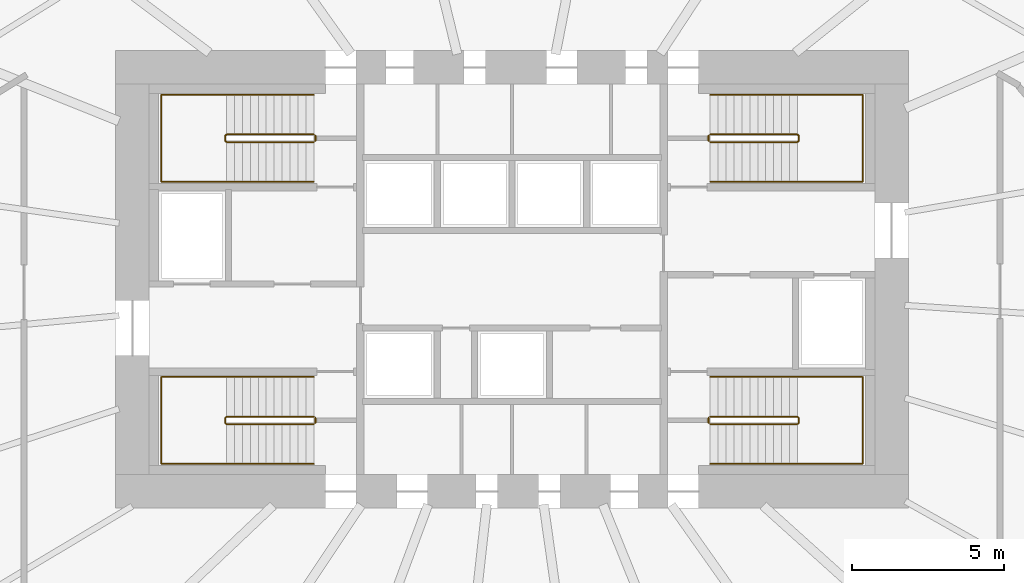
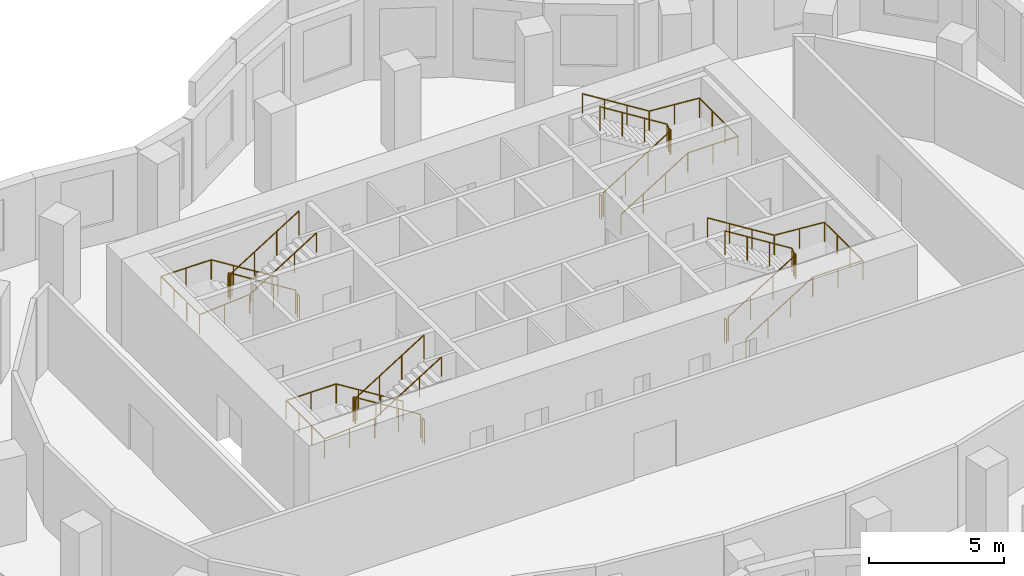
# One storey, part 8 of 8: 12 railings.
"""IFC4 building model written with IfcOpenShell, lengths in metres."""

from ifc_helpers import new_model, si_unit, direction, frame, origin, origin_2d, place, context, subcontext, project, spatial, circle, extrude, material, type_object, element, save


model = new_model("IFC4")

# Units and contexts
model_context = context("Model", 3, precision=1e-05, world=origin(), true_north=direction((0.0, 1.0)))
body_context = subcontext(model_context, "Body", "Model", "MODEL_VIEW")
ifc_project = project(units=[si_unit("LENGTHUNIT", "METRE"), si_unit("AREAUNIT", "SQUARE_METRE"), si_unit("VOLUMEUNIT", "CUBIC_METRE"), si_unit("PLANEANGLEUNIT", "RADIAN"), si_unit("MASSUNIT", "GRAM", prefix="KILO")], contexts=[model_context])

# Site, building, storey
site_placement = place(None, origin())
site = spatial("IfcSite", under=ifc_project, at=site_placement, CompositionType="ELEMENT")
building_placement = place(site_placement, origin())
building = spatial("IfcBuilding", under=site, at=building_placement, Name="Rubra Terraces Tower", CompositionType="ELEMENT")
storey_placement = place(building_placement, frame((0.0, 0.0, 150.0)))
storey = spatial("IfcBuildingStorey", under=building, at=storey_placement, Name="L36", CompositionType="ELEMENT", Elevation=150.0)

# Railings
ifc_material = material(Name="Stainless steel", Category="steel")
railing_type_1 = type_object("IfcRailingType", Name="Core stair guard 1100", PredefinedType="GUARDRAIL", material=ifc_material)
railing_1_placement = place(storey_placement, frame((-6.5, 0.0, 0.16259765625)))
element("IfcRailing", 1, at=railing_1_placement, inside=storey, type_object=railing_type_1, Name="L36 stair S1 guard 1", PredefinedType="GUARDRAIL", context=body_context, shape_type="SweptSolid", body=[
    extrude(circle(Radius=0.02392578125, at=origin_2d()), frame((0.0, 0.0, 1.076171875), z_axis=(-0.848026770018, 0.0, 0.529953391661), x_axis=(0.0, -1.0, 0.0)), (0.0, 0.0, 1.0), 3.37255859375),
    extrude(circle(Radius=0.02392578125, at=origin_2d()), frame((-2.860107421875, 0.0, 2.86328125), z_axis=(-0.705375805398, -0.708833529934, 0.0), x_axis=(0.708833529934, -0.705375805398, 0.0)), (0.0, 0.0, 1.0), 0.070556640625),
    extrude(circle(Radius=0.02392578125, at=origin_2d()), frame((-2.909912109375, -0.050048828125, 2.86328125), z_axis=(0.0, -1.0, 0.0), x_axis=(1.0, 0.0, 0.0)), (0.0, 0.0, 1.0), 0.14990234375),
    extrude(circle(Radius=0.02392578125, at=origin_2d()), frame((-2.909912109375, -0.199951171875, 2.86328125), z_axis=(0.280959487676, -0.282336740067, 0.917250092119), x_axis=(0.708833529934, 0.705375805398, 0.0)), (0.0, 0.0, 1.0), 0.17724609375),
    extrude(circle(Radius=0.02392578125, at=origin_2d()), frame((-2.860107421875, -0.25, 3.02587890625), z_axis=(0.848026770018, 0.0, 0.529953391661), x_axis=(0.0, 1.0, 0.0)), (0.0, 0.0, 1.0), 3.37255859375),
    extrude(circle(Radius=0.02099609375, at=origin_2d()), origin(), (0.0, 0.0, 1.0), 1.052001953125),
    extrude(circle(Radius=0.02099609375, at=origin_2d()), frame((-0.953369140625, 0.0, 0.595703125)), (0.0, 0.0, 1.0), 1.052001953125),
    extrude(circle(Radius=0.02099609375, at=origin_2d()), frame((-1.90673828125, 0.0, 1.191650390625)), (0.0, 0.0, 1.0), 1.052001953125),
    extrude(circle(Radius=0.02099609375, at=origin_2d()), frame((-2.860107421875, 0.0, 1.787353515625)), (0.0, 0.0, 1.0), 1.052001953125),
    extrude(circle(Radius=0.02099609375, at=origin_2d()), frame((-2.909912109375, -0.050048828125, 1.787353515625)), (0.0, 0.0, 1.0), 1.052001953125),
    extrude(circle(Radius=0.02099609375, at=origin_2d()), frame((-2.909912109375, -0.199951171875, 1.787353515625)), (0.0, 0.0, 1.0), 1.052001953125),
    extrude(circle(Radius=0.02099609375, at=origin_2d()), frame((-2.860107421875, -0.25, 1.949951171875)), (0.0, 0.0, 1.0), 1.052001953125),
    extrude(circle(Radius=0.02099609375, at=origin_2d()), frame((-1.90673828125, -0.25, 2.545654296875)), (0.0, 0.0, 1.0), 1.052001953125),
    extrude(circle(Radius=0.02099609375, at=origin_2d()), frame((-0.953369140625, -0.25, 3.1416015625)), (0.0, 0.0, 1.0), 1.052001953125),
    extrude(circle(Radius=0.02099609375, at=origin_2d()), frame((0.0, -0.25, 3.7373046875)), (0.0, 0.0, 1.0), 1.052001953125),
])
railing_2_placement = place(storey_placement, frame((-6.449951171875, -0.050048828125, 0.0)))
element("IfcRailing", 2, at=railing_2_placement, inside=storey, type_object=railing_type_1, Name="L36 stair S1 guard 2", PredefinedType="GUARDRAIL", context=body_context, shape_type="SweptSolid", body=[
    extrude(circle(Radius=0.02392578125, at=origin_2d()), frame((0.0, 0.0, 1.076171875), z_axis=(0.0, -1.0, 0.0), x_axis=(1.0, 0.0, 0.0)), (0.0, 0.0, 1.0), 0.14990234375),
    extrude(circle(Radius=0.02099609375, at=origin_2d()), origin(), (0.0, 0.0, 1.0), 1.052001953125),
    extrude(circle(Radius=0.02099609375, at=origin_2d()), frame((0.0, -0.14990234375, 0.0)), (0.0, 0.0, 1.0), 1.052001953125),
])
railing_3_placement = place(storey_placement, frame((-6.5, 9.25, 0.16259765625)))
element("IfcRailing", 3, at=railing_3_placement, inside=storey, type_object=railing_type_1, Name="L36 stair S2 guard 1", PredefinedType="GUARDRAIL", context=body_context, shape_type="SweptSolid", body=[
    extrude(circle(Radius=0.02392578125, at=origin_2d()), frame((0.0, 0.0, 1.076171875), z_axis=(-0.848026770018, 0.0, 0.529953391661), x_axis=(0.0, -1.0, 0.0)), (0.0, 0.0, 1.0), 3.37255859375),
    extrude(circle(Radius=0.02392578125, at=origin_2d()), frame((-2.860107421875, 0.0, 2.86328125), z_axis=(-0.705375805398, -0.708833529934, 0.0), x_axis=(0.708833529934, -0.705375805398, 0.0)), (0.0, 0.0, 1.0), 0.070556640625),
    extrude(circle(Radius=0.02392578125, at=origin_2d()), frame((-2.909912109375, -0.050048828125, 2.86328125), z_axis=(0.0, -1.0, 0.0), x_axis=(1.0, 0.0, 0.0)), (0.0, 0.0, 1.0), 0.14990234375),
    extrude(circle(Radius=0.02392578125, at=origin_2d()), frame((-2.909912109375, -0.199951171875, 2.86328125), z_axis=(0.280959487676, -0.282336740067, 0.917250092119), x_axis=(0.708833529934, 0.705375805398, 0.0)), (0.0, 0.0, 1.0), 0.17724609375),
    extrude(circle(Radius=0.02392578125, at=origin_2d()), frame((-2.860107421875, -0.25, 3.02587890625), z_axis=(0.848026770018, 0.0, 0.529953391661), x_axis=(0.0, 1.0, 0.0)), (0.0, 0.0, 1.0), 3.37255859375),
    extrude(circle(Radius=0.02099609375, at=origin_2d()), origin(), (0.0, 0.0, 1.0), 1.052001953125),
    extrude(circle(Radius=0.02099609375, at=origin_2d()), frame((-0.953369140625, 0.0, 0.595703125)), (0.0, 0.0, 1.0), 1.052001953125),
    extrude(circle(Radius=0.02099609375, at=origin_2d()), frame((-1.90673828125, 0.0, 1.191650390625)), (0.0, 0.0, 1.0), 1.052001953125),
    extrude(circle(Radius=0.02099609375, at=origin_2d()), frame((-2.860107421875, 0.0, 1.787353515625)), (0.0, 0.0, 1.0), 1.052001953125),
    extrude(circle(Radius=0.02099609375, at=origin_2d()), frame((-2.909912109375, -0.050048828125, 1.787353515625)), (0.0, 0.0, 1.0), 1.052001953125),
    extrude(circle(Radius=0.02099609375, at=origin_2d()), frame((-2.909912109375, -0.199951171875, 1.787353515625)), (0.0, 0.0, 1.0), 1.052001953125),
    extrude(circle(Radius=0.02099609375, at=origin_2d()), frame((-2.860107421875, -0.25, 1.949951171875)), (0.0, 0.0, 1.0), 1.052001953125),
    extrude(circle(Radius=0.02099609375, at=origin_2d()), frame((-1.90673828125, -0.25, 2.545654296875)), (0.0, 0.0, 1.0), 1.052001953125),
    extrude(circle(Radius=0.02099609375, at=origin_2d()), frame((-0.953369140625, -0.25, 3.1416015625)), (0.0, 0.0, 1.0), 1.052001953125),
    extrude(circle(Radius=0.02099609375, at=origin_2d()), frame((0.0, -0.25, 3.7373046875)), (0.0, 0.0, 1.0), 1.052001953125),
])
railing_4_placement = place(storey_placement, frame((-6.449951171875, 9.199951171875, 0.0)))
element("IfcRailing", 4, at=railing_4_placement, inside=storey, type_object=railing_type_1, Name="L36 stair S2 guard 2", PredefinedType="GUARDRAIL", context=body_context, shape_type="SweptSolid", body=[
    extrude(circle(Radius=0.02392578125, at=origin_2d()), frame((0.0, 0.0, 1.076171875), z_axis=(0.0, -1.0, 0.0), x_axis=(1.0, 0.0, 0.0)), (0.0, 0.0, 1.0), 0.14990234375),
    extrude(circle(Radius=0.02099609375, at=origin_2d()), origin(), (0.0, 0.0, 1.0), 1.052001953125),
    extrude(circle(Radius=0.02099609375, at=origin_2d()), frame((0.0, -0.14990234375, 0.0)), (0.0, 0.0, 1.0), 1.052001953125),
])
railing_5_placement = place(storey_placement, frame((6.5, 9.0, 0.16259765625)))
element("IfcRailing", 5, at=railing_5_placement, inside=storey, type_object=railing_type_1, Name="L36 stair S3 guard 1", PredefinedType="GUARDRAIL", context=body_context, shape_type="SweptSolid", body=[
    extrude(circle(Radius=0.02392578125, at=origin_2d()), frame((0.0, 0.0, 1.076171875), z_axis=(0.848026770018, 0.0, 0.529953391661), x_axis=(0.0, 1.0, 0.0)), (0.0, 0.0, 1.0), 3.37255859375),
    extrude(circle(Radius=0.02392578125, at=origin_2d()), frame((2.860107421875, 0.0, 2.86328125), z_axis=(0.705375805398, 0.708833529934, 0.0), x_axis=(-0.708833529934, 0.705375805398, 0.0)), (0.0, 0.0, 1.0), 0.070556640625),
    extrude(circle(Radius=0.02392578125, at=origin_2d()), frame((2.909912109375, 0.050048828125, 2.86328125), z_axis=(0.0, 1.0, 0.0), x_axis=(-1.0, 0.0, 0.0)), (0.0, 0.0, 1.0), 0.14990234375),
    extrude(circle(Radius=0.02392578125, at=origin_2d()), frame((2.909912109375, 0.199951171875, 2.86328125), z_axis=(-0.280959487676, 0.282336740067, 0.917250092119), x_axis=(-0.708833529934, -0.705375805398, 0.0)), (0.0, 0.0, 1.0), 0.17724609375),
    extrude(circle(Radius=0.02392578125, at=origin_2d()), frame((2.860107421875, 0.25, 3.02587890625), z_axis=(-0.848026770018, 0.0, 0.529953391661), x_axis=(0.0, -1.0, 0.0)), (0.0, 0.0, 1.0), 3.37255859375),
    extrude(circle(Radius=0.02099609375, at=origin_2d()), origin(), (0.0, 0.0, 1.0), 1.052001953125),
    extrude(circle(Radius=0.02099609375, at=origin_2d()), frame((0.953369140625, 0.0, 0.595703125)), (0.0, 0.0, 1.0), 1.052001953125),
    extrude(circle(Radius=0.02099609375, at=origin_2d()), frame((1.90673828125, 0.0, 1.191650390625)), (0.0, 0.0, 1.0), 1.052001953125),
    extrude(circle(Radius=0.02099609375, at=origin_2d()), frame((2.860107421875, 0.0, 1.787353515625)), (0.0, 0.0, 1.0), 1.052001953125),
    extrude(circle(Radius=0.02099609375, at=origin_2d()), frame((2.909912109375, 0.050048828125, 1.787353515625)), (0.0, 0.0, 1.0), 1.052001953125),
    extrude(circle(Radius=0.02099609375, at=origin_2d()), frame((2.909912109375, 0.199951171875, 1.787353515625)), (0.0, 0.0, 1.0), 1.052001953125),
    extrude(circle(Radius=0.02099609375, at=origin_2d()), frame((2.860107421875, 0.25, 1.949951171875)), (0.0, 0.0, 1.0), 1.052001953125),
    extrude(circle(Radius=0.02099609375, at=origin_2d()), frame((1.90673828125, 0.25, 2.545654296875)), (0.0, 0.0, 1.0), 1.052001953125),
    extrude(circle(Radius=0.02099609375, at=origin_2d()), frame((0.953369140625, 0.25, 3.1416015625)), (0.0, 0.0, 1.0), 1.052001953125),
    extrude(circle(Radius=0.02099609375, at=origin_2d()), frame((0.0, 0.25, 3.7373046875)), (0.0, 0.0, 1.0), 1.052001953125),
])
railing_6_placement = place(storey_placement, frame((6.449951171875, 9.050048828125, 0.0)))
element("IfcRailing", 6, at=railing_6_placement, inside=storey, type_object=railing_type_1, Name="L36 stair S3 guard 2", PredefinedType="GUARDRAIL", context=body_context, shape_type="SweptSolid", body=[
    extrude(circle(Radius=0.02392578125, at=origin_2d()), frame((0.0, 0.0, 1.076171875), z_axis=(0.0, 1.0, 0.0), x_axis=(-1.0, 0.0, 0.0)), (0.0, 0.0, 1.0), 0.14990234375),
    extrude(circle(Radius=0.02099609375, at=origin_2d()), origin(), (0.0, 0.0, 1.0), 1.052001953125),
    extrude(circle(Radius=0.02099609375, at=origin_2d()), frame((0.0, 0.14990234375, 0.0)), (0.0, 0.0, 1.0), 1.052001953125),
])
railing_7_placement = place(storey_placement, frame((6.5, -0.25, 0.16259765625)))
element("IfcRailing", 7, at=railing_7_placement, inside=storey, type_object=railing_type_1, Name="L36 stair S4 guard 1", PredefinedType="GUARDRAIL", context=body_context, shape_type="SweptSolid", body=[
    extrude(circle(Radius=0.02392578125, at=origin_2d()), frame((0.0, 0.0, 1.076171875), z_axis=(0.848026770018, 0.0, 0.529953391661), x_axis=(0.0, 1.0, 0.0)), (0.0, 0.0, 1.0), 3.37255859375),
    extrude(circle(Radius=0.02392578125, at=origin_2d()), frame((2.860107421875, 0.0, 2.86328125), z_axis=(0.705375805398, 0.708833529934, 0.0), x_axis=(-0.708833529934, 0.705375805398, 0.0)), (0.0, 0.0, 1.0), 0.070556640625),
    extrude(circle(Radius=0.02392578125, at=origin_2d()), frame((2.909912109375, 0.050048828125, 2.86328125), z_axis=(0.0, 1.0, 0.0), x_axis=(-1.0, 0.0, 0.0)), (0.0, 0.0, 1.0), 0.14990234375),
    extrude(circle(Radius=0.02392578125, at=origin_2d()), frame((2.909912109375, 0.199951171875, 2.86328125), z_axis=(-0.280959487676, 0.282336740067, 0.917250092119), x_axis=(-0.708833529934, -0.705375805398, 0.0)), (0.0, 0.0, 1.0), 0.17724609375),
    extrude(circle(Radius=0.02392578125, at=origin_2d()), frame((2.860107421875, 0.25, 3.02587890625), z_axis=(-0.848026770018, 0.0, 0.529953391661), x_axis=(0.0, -1.0, 0.0)), (0.0, 0.0, 1.0), 3.37255859375),
    extrude(circle(Radius=0.02099609375, at=origin_2d()), origin(), (0.0, 0.0, 1.0), 1.052001953125),
    extrude(circle(Radius=0.02099609375, at=origin_2d()), frame((0.953369140625, 0.0, 0.595703125)), (0.0, 0.0, 1.0), 1.052001953125),
    extrude(circle(Radius=0.02099609375, at=origin_2d()), frame((1.90673828125, 0.0, 1.191650390625)), (0.0, 0.0, 1.0), 1.052001953125),
    extrude(circle(Radius=0.02099609375, at=origin_2d()), frame((2.860107421875, 0.0, 1.787353515625)), (0.0, 0.0, 1.0), 1.052001953125),
    extrude(circle(Radius=0.02099609375, at=origin_2d()), frame((2.909912109375, 0.050048828125, 1.787353515625)), (0.0, 0.0, 1.0), 1.052001953125),
    extrude(circle(Radius=0.02099609375, at=origin_2d()), frame((2.909912109375, 0.199951171875, 1.787353515625)), (0.0, 0.0, 1.0), 1.052001953125),
    extrude(circle(Radius=0.02099609375, at=origin_2d()), frame((2.860107421875, 0.25, 1.949951171875)), (0.0, 0.0, 1.0), 1.052001953125),
    extrude(circle(Radius=0.02099609375, at=origin_2d()), frame((1.90673828125, 0.25, 2.545654296875)), (0.0, 0.0, 1.0), 1.052001953125),
    extrude(circle(Radius=0.02099609375, at=origin_2d()), frame((0.953369140625, 0.25, 3.1416015625)), (0.0, 0.0, 1.0), 1.052001953125),
    extrude(circle(Radius=0.02099609375, at=origin_2d()), frame((0.0, 0.25, 3.7373046875)), (0.0, 0.0, 1.0), 1.052001953125),
])
railing_8_placement = place(storey_placement, frame((6.449951171875, -0.199951171875, 0.0)))
element("IfcRailing", 8, at=railing_8_placement, inside=storey, type_object=railing_type_1, Name="L36 stair S4 guard 2", PredefinedType="GUARDRAIL", context=body_context, shape_type="SweptSolid", body=[
    extrude(circle(Radius=0.02392578125, at=origin_2d()), frame((0.0, 0.0, 1.076171875), z_axis=(0.0, 1.0, 0.0), x_axis=(-1.0, 0.0, 0.0)), (0.0, 0.0, 1.0), 0.14990234375),
    extrude(circle(Radius=0.02099609375, at=origin_2d()), origin(), (0.0, 0.0, 1.0), 1.052001953125),
    extrude(circle(Radius=0.02099609375, at=origin_2d()), frame((0.0, 0.14990234375, 0.0)), (0.0, 0.0, 1.0), 1.052001953125),
])
railing_type_2 = type_object("IfcRailingType", Name="Core stair handrail 900", PredefinedType="HANDRAIL", material=ifc_material)
railing_9_placement = place(storey_placement, frame((-6.5, 1.300048828125, 0.16259765625)))
element("IfcRailing", 9, at=railing_9_placement, inside=storey, type_object=railing_type_2, Name="L36 stair S1 handrail 1", PredefinedType="HANDRAIL", context=body_context, shape_type="SweptSolid", body=[
    extrude(circle(Radius=0.02392578125, at=origin_2d()), frame((0.0, 0.0, 0.8759765625), z_axis=(-0.848026770018, 0.0, 0.529953391661), x_axis=(0.0, -1.0, 0.0)), (0.0, 0.0, 1.0), 3.37255859375),
    extrude(circle(Radius=0.02392578125, at=origin_2d()), frame((-2.860107421875, 0.0, 2.6630859375), z_axis=(-1.0, 0.0, 0.0), x_axis=(0.0, -1.0, 0.0)), (0.0, 0.0, 1.0), 2.139892578125),
    extrude(circle(Radius=0.02392578125, at=origin_2d()), frame((-5.0, 0.0, 2.6630859375), z_axis=(0.0, -1.0, 0.0), x_axis=(1.0, 0.0, 0.0)), (0.0, 0.0, 1.0), 2.85009765625),
    extrude(circle(Radius=0.02392578125, at=origin_2d()), frame((-5.0, -2.85009765625, 2.6630859375), z_axis=(0.997125654253, 0.0, 0.075765623016), x_axis=(0.0, 1.0, 0.0)), (0.0, 0.0, 1.0), 2.14599609375),
    extrude(circle(Radius=0.02392578125, at=origin_2d()), frame((-2.860107421875, -2.85009765625, 2.82568359375), z_axis=(0.848026770018, 0.0, 0.529953391661), x_axis=(0.0, 1.0, 0.0)), (0.0, 0.0, 1.0), 3.37255859375),
    extrude(circle(Radius=0.02099609375, at=origin_2d()), origin(), (0.0, 0.0, 1.0), 0.851806640625),
    extrude(circle(Radius=0.02099609375, at=origin_2d()), frame((-0.953369140625, 0.0, 0.595703125)), (0.0, 0.0, 1.0), 0.851806640625),
    extrude(circle(Radius=0.02099609375, at=origin_2d()), frame((-1.90673828125, 0.0, 1.191650390625)), (0.0, 0.0, 1.0), 0.851806640625),
    extrude(circle(Radius=0.02099609375, at=origin_2d()), frame((-2.860107421875, 0.0, 1.787353515625)), (0.0, 0.0, 1.0), 0.851806640625),
    extrude(circle(Radius=0.02099609375, at=origin_2d()), frame((-3.93017578125, 0.0, 1.787353515625)), (0.0, 0.0, 1.0), 0.851806640625),
    extrude(circle(Radius=0.02099609375, at=origin_2d()), frame((-5.0, 0.0, 1.787353515625)), (0.0, 0.0, 1.0), 0.851806640625),
    extrude(circle(Radius=0.02099609375, at=origin_2d()), frame((-5.0, -0.949951171875, 1.787353515625)), (0.0, 0.0, 1.0), 0.851806640625),
    extrude(circle(Radius=0.02099609375, at=origin_2d()), frame((-5.0, -1.900146484375, 1.787353515625)), (0.0, 0.0, 1.0), 0.851806640625),
    extrude(circle(Radius=0.02099609375, at=origin_2d()), frame((-5.0, -2.85009765625, 1.787353515625)), (0.0, 0.0, 1.0), 0.851806640625),
    extrude(circle(Radius=0.02099609375, at=origin_2d()), frame((-3.93017578125, -2.85009765625, 1.86865234375)), (0.0, 0.0, 1.0), 0.851806640625),
    extrude(circle(Radius=0.02099609375, at=origin_2d()), frame((-2.860107421875, -2.85009765625, 1.949951171875)), (0.0, 0.0, 1.0), 0.851806640625),
    extrude(circle(Radius=0.02099609375, at=origin_2d()), frame((-1.90673828125, -2.85009765625, 2.545654296875)), (0.0, 0.0, 1.0), 0.851806640625),
    extrude(circle(Radius=0.02099609375, at=origin_2d()), frame((-0.953369140625, -2.85009765625, 3.1416015625)), (0.0, 0.0, 1.0), 0.851806640625),
    extrude(circle(Radius=0.02099609375, at=origin_2d()), frame((0.0, -2.85009765625, 3.7373046875)), (0.0, 0.0, 1.0), 0.851806640625),
])
railing_10_placement = place(storey_placement, frame((-6.5, 10.550048828125, 0.16259765625)))
element("IfcRailing", 10, at=railing_10_placement, inside=storey, type_object=railing_type_2, Name="L36 stair S2 handrail 1", PredefinedType="HANDRAIL", context=body_context, shape_type="SweptSolid", body=[
    extrude(circle(Radius=0.02392578125, at=origin_2d()), frame((0.0, 0.0, 0.8759765625), z_axis=(-0.848026770018, 0.0, 0.529953391661), x_axis=(0.0, -1.0, 0.0)), (0.0, 0.0, 1.0), 3.37255859375),
    extrude(circle(Radius=0.02392578125, at=origin_2d()), frame((-2.860107421875, 0.0, 2.6630859375), z_axis=(-1.0, 0.0, 0.0), x_axis=(0.0, -1.0, 0.0)), (0.0, 0.0, 1.0), 2.139892578125),
    extrude(circle(Radius=0.02392578125, at=origin_2d()), frame((-5.0, 0.0, 2.6630859375), z_axis=(0.0, -1.0, 0.0), x_axis=(1.0, 0.0, 0.0)), (0.0, 0.0, 1.0), 2.85009765625),
    extrude(circle(Radius=0.02392578125, at=origin_2d()), frame((-5.0, -2.85009765625, 2.6630859375), z_axis=(0.997125654253, 0.0, 0.075765623016), x_axis=(0.0, 1.0, 0.0)), (0.0, 0.0, 1.0), 2.14599609375),
    extrude(circle(Radius=0.02392578125, at=origin_2d()), frame((-2.860107421875, -2.85009765625, 2.82568359375), z_axis=(0.848026770018, 0.0, 0.529953391661), x_axis=(0.0, 1.0, 0.0)), (0.0, 0.0, 1.0), 3.37255859375),
    extrude(circle(Radius=0.02099609375, at=origin_2d()), origin(), (0.0, 0.0, 1.0), 0.851806640625),
    extrude(circle(Radius=0.02099609375, at=origin_2d()), frame((-0.953369140625, 0.0, 0.595703125)), (0.0, 0.0, 1.0), 0.851806640625),
    extrude(circle(Radius=0.02099609375, at=origin_2d()), frame((-1.90673828125, 0.0, 1.191650390625)), (0.0, 0.0, 1.0), 0.851806640625),
    extrude(circle(Radius=0.02099609375, at=origin_2d()), frame((-2.860107421875, 0.0, 1.787353515625)), (0.0, 0.0, 1.0), 0.851806640625),
    extrude(circle(Radius=0.02099609375, at=origin_2d()), frame((-3.93017578125, 0.0, 1.787353515625)), (0.0, 0.0, 1.0), 0.851806640625),
    extrude(circle(Radius=0.02099609375, at=origin_2d()), frame((-5.0, 0.0, 1.787353515625)), (0.0, 0.0, 1.0), 0.851806640625),
    extrude(circle(Radius=0.02099609375, at=origin_2d()), frame((-5.0, -0.949951171875, 1.787353515625)), (0.0, 0.0, 1.0), 0.851806640625),
    extrude(circle(Radius=0.02099609375, at=origin_2d()), frame((-5.0, -1.900146484375, 1.787353515625)), (0.0, 0.0, 1.0), 0.851806640625),
    extrude(circle(Radius=0.02099609375, at=origin_2d()), frame((-5.0, -2.85009765625, 1.787353515625)), (0.0, 0.0, 1.0), 0.851806640625),
    extrude(circle(Radius=0.02099609375, at=origin_2d()), frame((-3.93017578125, -2.85009765625, 1.86865234375)), (0.0, 0.0, 1.0), 0.851806640625),
    extrude(circle(Radius=0.02099609375, at=origin_2d()), frame((-2.860107421875, -2.85009765625, 1.949951171875)), (0.0, 0.0, 1.0), 0.851806640625),
    extrude(circle(Radius=0.02099609375, at=origin_2d()), frame((-1.90673828125, -2.85009765625, 2.545654296875)), (0.0, 0.0, 1.0), 0.851806640625),
    extrude(circle(Radius=0.02099609375, at=origin_2d()), frame((-0.953369140625, -2.85009765625, 3.1416015625)), (0.0, 0.0, 1.0), 0.851806640625),
    extrude(circle(Radius=0.02099609375, at=origin_2d()), frame((0.0, -2.85009765625, 3.7373046875)), (0.0, 0.0, 1.0), 0.851806640625),
])
railing_11_placement = place(storey_placement, frame((6.5, 7.699951171875, 0.16259765625)))
element("IfcRailing", 11, at=railing_11_placement, inside=storey, type_object=railing_type_2, Name="L36 stair S3 handrail 1", PredefinedType="HANDRAIL", context=body_context, shape_type="SweptSolid", body=[
    extrude(circle(Radius=0.02392578125, at=origin_2d()), frame((0.0, 0.0, 0.8759765625), z_axis=(0.848026770018, 0.0, 0.529953391661), x_axis=(0.0, 1.0, 0.0)), (0.0, 0.0, 1.0), 3.37255859375),
    extrude(circle(Radius=0.02392578125, at=origin_2d()), frame((2.860107421875, 0.0, 2.6630859375), z_axis=(1.0, 0.0, 0.0), x_axis=(0.0, 1.0, 0.0)), (0.0, 0.0, 1.0), 2.139892578125),
    extrude(circle(Radius=0.02392578125, at=origin_2d()), frame((5.0, 0.0, 2.6630859375), z_axis=(0.0, 1.0, 0.0), x_axis=(-1.0, 0.0, 0.0)), (0.0, 0.0, 1.0), 2.85009765625),
    extrude(circle(Radius=0.02392578125, at=origin_2d()), frame((5.0, 2.85009765625, 2.6630859375), z_axis=(-0.997125654253, 0.0, 0.075765623016), x_axis=(0.0, -1.0, 0.0)), (0.0, 0.0, 1.0), 2.14599609375),
    extrude(circle(Radius=0.02392578125, at=origin_2d()), frame((2.860107421875, 2.85009765625, 2.82568359375), z_axis=(-0.848026770018, 0.0, 0.529953391661), x_axis=(0.0, -1.0, 0.0)), (0.0, 0.0, 1.0), 3.37255859375),
    extrude(circle(Radius=0.02099609375, at=origin_2d()), origin(), (0.0, 0.0, 1.0), 0.851806640625),
    extrude(circle(Radius=0.02099609375, at=origin_2d()), frame((0.953369140625, 0.0, 0.595703125)), (0.0, 0.0, 1.0), 0.851806640625),
    extrude(circle(Radius=0.02099609375, at=origin_2d()), frame((1.90673828125, 0.0, 1.191650390625)), (0.0, 0.0, 1.0), 0.851806640625),
    extrude(circle(Radius=0.02099609375, at=origin_2d()), frame((2.860107421875, 0.0, 1.787353515625)), (0.0, 0.0, 1.0), 0.851806640625),
    extrude(circle(Radius=0.02099609375, at=origin_2d()), frame((3.93017578125, 0.0, 1.787353515625)), (0.0, 0.0, 1.0), 0.851806640625),
    extrude(circle(Radius=0.02099609375, at=origin_2d()), frame((5.0, 0.0, 1.787353515625)), (0.0, 0.0, 1.0), 0.851806640625),
    extrude(circle(Radius=0.02099609375, at=origin_2d()), frame((5.0, 0.949951171875, 1.787353515625)), (0.0, 0.0, 1.0), 0.851806640625),
    extrude(circle(Radius=0.02099609375, at=origin_2d()), frame((5.0, 1.900146484375, 1.787353515625)), (0.0, 0.0, 1.0), 0.851806640625),
    extrude(circle(Radius=0.02099609375, at=origin_2d()), frame((5.0, 2.85009765625, 1.787353515625)), (0.0, 0.0, 1.0), 0.851806640625),
    extrude(circle(Radius=0.02099609375, at=origin_2d()), frame((3.93017578125, 2.85009765625, 1.86865234375)), (0.0, 0.0, 1.0), 0.851806640625),
    extrude(circle(Radius=0.02099609375, at=origin_2d()), frame((2.860107421875, 2.85009765625, 1.949951171875)), (0.0, 0.0, 1.0), 0.851806640625),
    extrude(circle(Radius=0.02099609375, at=origin_2d()), frame((1.90673828125, 2.85009765625, 2.545654296875)), (0.0, 0.0, 1.0), 0.851806640625),
    extrude(circle(Radius=0.02099609375, at=origin_2d()), frame((0.953369140625, 2.85009765625, 3.1416015625)), (0.0, 0.0, 1.0), 0.851806640625),
    extrude(circle(Radius=0.02099609375, at=origin_2d()), frame((0.0, 2.85009765625, 3.7373046875)), (0.0, 0.0, 1.0), 0.851806640625),
])
railing_12_placement = place(storey_placement, frame((6.5, -1.550048828125, 0.16259765625)))
element("IfcRailing", 12, at=railing_12_placement, inside=storey, type_object=railing_type_2, Name="L36 stair S4 handrail 1", PredefinedType="HANDRAIL", context=body_context, shape_type="SweptSolid", body=[
    extrude(circle(Radius=0.02392578125, at=origin_2d()), frame((0.0, 0.0, 0.8759765625), z_axis=(0.848026770018, 0.0, 0.529953391661), x_axis=(0.0, 1.0, 0.0)), (0.0, 0.0, 1.0), 3.37255859375),
    extrude(circle(Radius=0.02392578125, at=origin_2d()), frame((2.860107421875, 0.0, 2.6630859375), z_axis=(1.0, 0.0, 0.0), x_axis=(0.0, 1.0, 0.0)), (0.0, 0.0, 1.0), 2.139892578125),
    extrude(circle(Radius=0.02392578125, at=origin_2d()), frame((5.0, 0.0, 2.6630859375), z_axis=(0.0, 1.0, 0.0), x_axis=(-1.0, 0.0, 0.0)), (0.0, 0.0, 1.0), 2.85009765625),
    extrude(circle(Radius=0.02392578125, at=origin_2d()), frame((5.0, 2.85009765625, 2.6630859375), z_axis=(-0.997125654253, 0.0, 0.075765623016), x_axis=(0.0, -1.0, 0.0)), (0.0, 0.0, 1.0), 2.14599609375),
    extrude(circle(Radius=0.02392578125, at=origin_2d()), frame((2.860107421875, 2.85009765625, 2.82568359375), z_axis=(-0.848026770018, 0.0, 0.529953391661), x_axis=(0.0, -1.0, 0.0)), (0.0, 0.0, 1.0), 3.37255859375),
    extrude(circle(Radius=0.02099609375, at=origin_2d()), origin(), (0.0, 0.0, 1.0), 0.851806640625),
    extrude(circle(Radius=0.02099609375, at=origin_2d()), frame((0.953369140625, 0.0, 0.595703125)), (0.0, 0.0, 1.0), 0.851806640625),
    extrude(circle(Radius=0.02099609375, at=origin_2d()), frame((1.90673828125, 0.0, 1.191650390625)), (0.0, 0.0, 1.0), 0.851806640625),
    extrude(circle(Radius=0.02099609375, at=origin_2d()), frame((2.860107421875, 0.0, 1.787353515625)), (0.0, 0.0, 1.0), 0.851806640625),
    extrude(circle(Radius=0.02099609375, at=origin_2d()), frame((3.93017578125, 0.0, 1.787353515625)), (0.0, 0.0, 1.0), 0.851806640625),
    extrude(circle(Radius=0.02099609375, at=origin_2d()), frame((5.0, 0.0, 1.787353515625)), (0.0, 0.0, 1.0), 0.851806640625),
    extrude(circle(Radius=0.02099609375, at=origin_2d()), frame((5.0, 0.949951171875, 1.787353515625)), (0.0, 0.0, 1.0), 0.851806640625),
    extrude(circle(Radius=0.02099609375, at=origin_2d()), frame((5.0, 1.900146484375, 1.787353515625)), (0.0, 0.0, 1.0), 0.851806640625),
    extrude(circle(Radius=0.02099609375, at=origin_2d()), frame((5.0, 2.85009765625, 1.787353515625)), (0.0, 0.0, 1.0), 0.851806640625),
    extrude(circle(Radius=0.02099609375, at=origin_2d()), frame((3.93017578125, 2.85009765625, 1.86865234375)), (0.0, 0.0, 1.0), 0.851806640625),
    extrude(circle(Radius=0.02099609375, at=origin_2d()), frame((2.860107421875, 2.85009765625, 1.949951171875)), (0.0, 0.0, 1.0), 0.851806640625),
    extrude(circle(Radius=0.02099609375, at=origin_2d()), frame((1.90673828125, 2.85009765625, 2.545654296875)), (0.0, 0.0, 1.0), 0.851806640625),
    extrude(circle(Radius=0.02099609375, at=origin_2d()), frame((0.953369140625, 2.85009765625, 3.1416015625)), (0.0, 0.0, 1.0), 0.851806640625),
    extrude(circle(Radius=0.02099609375, at=origin_2d()), frame((0.0, 2.85009765625, 3.7373046875)), (0.0, 0.0, 1.0), 0.851806640625),
])

save(model, "model.ifc")
